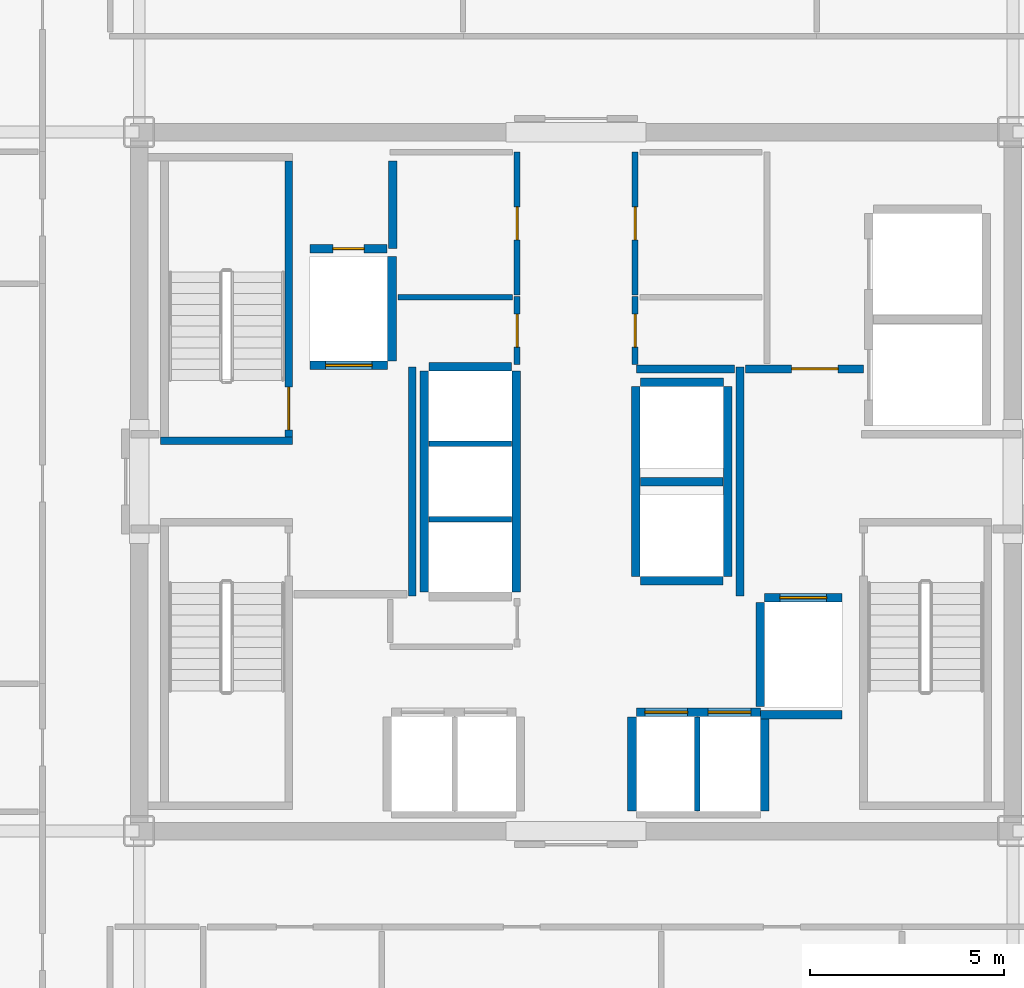
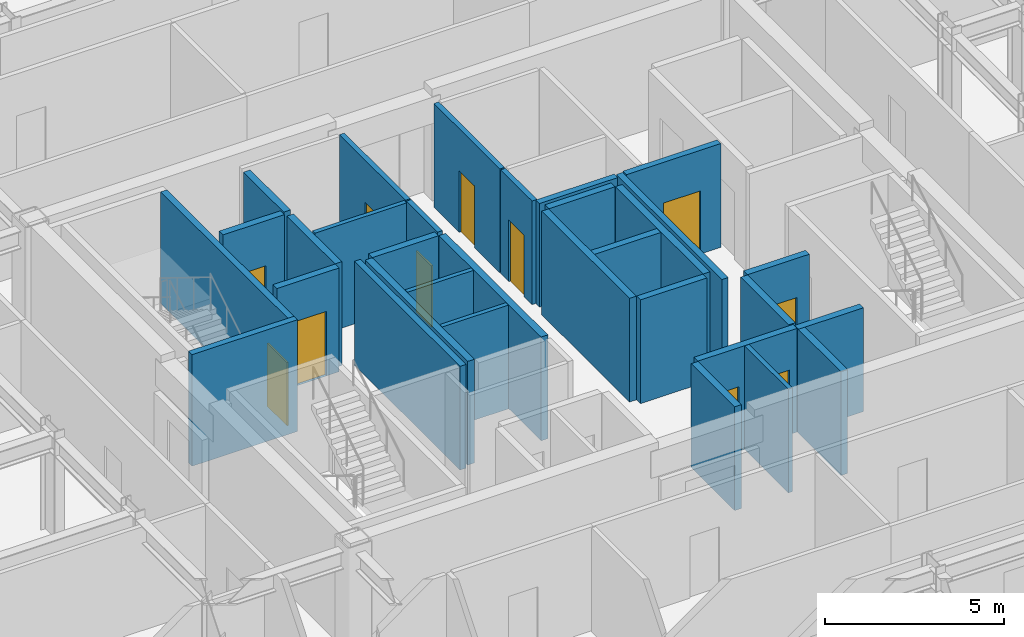
# One storey, part 16 of 21: 32 walls, 11 doors, 11 openings.
"""IFC4 building model written with IfcOpenShell, lengths in metres."""

import ifcopenshell
import ifcopenshell.guid

model = None  # the IFC model being written
_history = None  # IfcOwnerHistory: only IFC2X3 demands one
_inside = {}  # id of a spatial element -> (the spatial element, [elements in it])
_under = {}  # id of a project, library or spatial element -> (it, [spatial elements below it])
_declared = {}  # id of a project -> (the project, [libraries it declares])
_typed = {}  # id of a type object -> (the type object, [elements of that type])
_made_of = {}  # id of a material, layer set ... -> (it, [elements and type objects made of it])


def new_model(schema):
    """Start an empty IFC model of exactly this schema.

    Asked for "IFC4X3", IfcOpenShell would pick the latest addendum, in which some entities
    have other attributes; the version numbers below select the first issue.
    IFC2X3 requires an IfcOwnerHistory on every rooted entity: one is made here for all.
    """
    global model, _history
    if schema == "IFC4X3":
        model = ifcopenshell.file(schema_version=(4, 3, 0, 0))
    else:
        model = ifcopenshell.file(schema=schema)
    _inside.clear()
    _under.clear()
    _declared.clear()
    _typed.clear()
    _made_of.clear()
    _history = None
    if model.schema == "IFC2X3":
        org = make("IfcOrganization", Name="unknown")
        user = make(
            "IfcPersonAndOrganization",
            ThePerson=make("IfcPerson", FamilyName="unknown"),
            TheOrganization=org,
        )
        app = make(
            "IfcApplication",
            ApplicationDeveloper=org,
            Version="unknown",
            ApplicationFullName="unknown",
            ApplicationIdentifier="unknown",
        )
        _history = make(
            "IfcOwnerHistory",
            OwningUser=user,
            OwningApplication=app,
            ChangeAction="ADDED",
            CreationDate=0,
        )
    return model


def make(cls, **values):
    """One entity of the class cls with the attributes given. An attribute that is None is left unset."""
    return model.create_entity(
        cls, **{name: value for name, value in values.items() if value is not None}
    )


def rooted(cls, **values):
    """An entity with a GlobalId (a new one), such as an element, a storey or a relation."""
    return make(cls, GlobalId=ifcopenshell.guid.new(), OwnerHistory=_history, **values)


def si_unit(unit_type, name, prefix=None):
    """IfcSIUnit, for example si_unit("LENGTHUNIT", "METRE", prefix="MILLI")."""
    return make("IfcSIUnit", UnitType=unit_type, Prefix=prefix, Name=name)


def assignment(units):
    """IfcUnitAssignment: the units of a project."""
    return None if units is None else make("IfcUnitAssignment", Units=units)


def point(xyz):
    """IfcCartesianPoint."""
    return None if xyz is None else make("IfcCartesianPoint", Coordinates=xyz)


def direction(xyz):
    """IfcDirection."""
    return None if xyz is None else make("IfcDirection", DirectionRatios=xyz)


def frame(location, z_axis=None, x_axis=None):
    """IfcAxis2Placement3D, a coordinate frame: its origin and axes. An axis left out is left unset."""
    return make(
        "IfcAxis2Placement3D",
        Location=point(location),
        Axis=direction(z_axis),
        RefDirection=direction(x_axis),
    )


def frame_2d(location, x_axis=None):
    """IfcAxis2Placement2D, a coordinate frame in the plane: its origin and x axis."""
    return make(
        "IfcAxis2Placement2D", Location=point(location), RefDirection=direction(x_axis)
    )


def origin():
    """The frame at (0, 0, 0) with its axes left unset."""
    return frame((0.0, 0.0, 0.0))


def place(relative_to, where):
    """IfcLocalPlacement: puts the frame where relative to a parent placement (None: the world)."""
    return make(
        "IfcLocalPlacement", PlacementRelTo=relative_to, RelativePlacement=where
    )


def context(
    kind, dimensions, precision=None, world=None, true_north=None, identifier=None
):
    """IfcGeometricRepresentationContext, for example the 3D "Model" context."""
    return make(
        "IfcGeometricRepresentationContext",
        ContextIdentifier=identifier,
        ContextType=kind,
        CoordinateSpaceDimension=dimensions,
        Precision=precision,
        WorldCoordinateSystem=world,
        TrueNorth=true_north,
    )


def subcontext(parent, identifier, kind, view, scale=None):
    """IfcGeometricRepresentationSubContext, for example "Body" below "Model"."""
    return make(
        "IfcGeometricRepresentationSubContext",
        ContextIdentifier=identifier,
        ContextType=kind,
        ParentContext=parent,
        TargetScale=scale,
        TargetView=view,
    )


def project(units=None, contexts=None):
    """IfcProject with its units and contexts."""
    return rooted(
        "IfcProject",
        Name="project",
        RepresentationContexts=contexts,
        UnitsInContext=assignment(units),
    )


def spatial(cls, under=None, at=None, **own):
    """A site, building, storey or space (cls), placed at a placement, below another one or the project."""
    s = rooted(cls, ObjectPlacement=at, **own)
    if under is not None:
        _under.setdefault(under.id(), (under, []))[1].append(s)
    return s


def profile(cls, at=None, kind="AREA", **sizes):
    """A parametric profile (cls). Its sizes go by their IFC names, for example OverallWidth=200.0."""
    return make(cls, ProfileType=kind, Position=at, **sizes)


def rectangle(**sizes):
    """IfcRectangleProfileDef."""
    return profile("IfcRectangleProfileDef", **sizes)


def extrude(swept, where, along, depth):
    """IfcExtrudedAreaSolid: the profile swept, set in the frame where, extruded along a direction by depth."""
    return make(
        "IfcExtrudedAreaSolid",
        SweptArea=swept,
        Position=where,
        ExtrudedDirection=direction(along),
        Depth=depth,
    )


def shape(context_of_items, identifier, shape_type, items):
    """IfcShapeRepresentation: the items that make up one representation, for example the "Body"."""
    return make(
        "IfcShapeRepresentation",
        ContextOfItems=context_of_items,
        RepresentationIdentifier=identifier,
        RepresentationType=shape_type,
        Items=items,
    )


def source(mapping_origin, context_of_items, identifier, shape_type, items):
    """IfcRepresentationMap: a shape defined once, which mapped items show again and again."""
    return make(
        "IfcRepresentationMap",
        MappingOrigin=mapping_origin,
        MappedRepresentation=shape(context_of_items, identifier, shape_type, items),
    )


def transform(
    local_origin,
    x_axis=None,
    y_axis=None,
    z_axis=None,
    scale=None,
    scale2=None,
    scale3=None,
    uniform=True,
):
    """IfcCartesianTransformationOperator3D, or its non-uniform kind. x_axis, y_axis, z_axis: its Axis1, 2, 3."""
    if uniform:
        return make(
            "IfcCartesianTransformationOperator3D",
            Axis1=direction(x_axis),
            Axis2=direction(y_axis),
            LocalOrigin=point(local_origin),
            Scale=scale,
            Axis3=direction(z_axis),
        )
    return make(
        "IfcCartesianTransformationOperator3DnonUniform",
        Axis1=direction(x_axis),
        Axis2=direction(y_axis),
        LocalOrigin=point(local_origin),
        Scale=scale,
        Axis3=direction(z_axis),
        Scale2=scale2,
        Scale3=scale3,
    )


def mapped(mapping_source, mapping_target):
    """IfcMappedItem: shows the shape of a source again, moved by a transform."""
    return make(
        "IfcMappedItem", MappingSource=mapping_source, MappingTarget=mapping_target
    )


def material(Name=None, Category=None):
    """IfcMaterial."""
    return make("IfcMaterial", Name=Name, Category=Category)


def layer(
    of_material, thickness, ventilated=None, Name=None, Category=None, Priority=None
):
    """IfcMaterialLayer: one layer of a wall or slab, of a material (None: an air gap)."""
    return make(
        "IfcMaterialLayer",
        Material=of_material,
        LayerThickness=thickness,
        IsVentilated=ventilated,
        Name=Name,
        Category=Category,
        Priority=Priority,
    )


def layer_set(layers, Name=None):
    """IfcMaterialLayerSet."""
    return make("IfcMaterialLayerSet", MaterialLayers=layers, LayerSetName=Name)


def made_of(thing, what):
    """Note that an element or type object is made of a material, layer set ...; save() writes the relation."""
    if what is not None:
        _made_of.setdefault(what.id(), (what, []))[1].append(thing)
    return thing


def type_object(cls, material=None, **own):
    """A type object (cls), such as IfcWallType, which elements share."""
    return made_of(rooted(cls, **own), material)


def element(
    cls,
    number,
    at=None,
    inside=None,
    cuts=None,
    type_object=None,
    material=None,
    context=None,
    identifier="Body",
    shape_type=None,
    held_by="IfcProductDefinitionShape",
    body=None,
    shapes=None,
    **own,
):
    """One element of the class cls, such as IfcWall. Its Tag is "e" and its number.

    at: its placement. inside: the storey or other place that contains it. cuts: it is an
    opening in that element (IfcRelVoidsElement). A single representation is given by context,
    identifier, shape_type and body (its items); several are given by shapes. held_by: the class
    of the entity that holds the representations. save() writes the other relations.
    """
    e = rooted(cls, Tag="e%d" % number, ObjectPlacement=at, **own)
    if body is not None:
        shapes = [shape(context, identifier, shape_type, body)]
    if shapes is not None:
        e.Representation = make(held_by, Representations=shapes)
    if inside is not None:
        _inside.setdefault(inside.id(), (inside, []))[1].append(e)
    if cuts is not None:
        rooted(
            "IfcRelVoidsElement", RelatingBuildingElement=cuts, RelatedOpeningElement=e
        )
    if type_object is not None:
        _typed.setdefault(type_object.id(), (type_object, []))[1].append(e)
    return made_of(e, material)


def fill(opening, filler):
    """IfcRelFillsElement: the door or window that sits in an opening."""
    return rooted(
        "IfcRelFillsElement",
        RelatingOpeningElement=opening,
        RelatedBuildingElement=filler,
    )


def aggregate(whole, parts):
    """IfcRelAggregates: a whole, such as a stair, and the parts it consists of."""
    return rooted("IfcRelAggregates", RelatingObject=whole, RelatedObjects=parts)


def save(model, path):
    """Write the relations noted so far, then the file.

    IfcRelAggregates (storeys below a building ...), IfcRelContainedInSpatialStructure (elements
    in a storey), IfcRelDefinesByType, IfcRelAssociatesMaterial and IfcRelDeclares: one each for
    every whole, place, type object, material and project.
    """
    for whole, parts in _under.values():
        aggregate(whole, parts)
    for where, things in _inside.values():
        rooted(
            "IfcRelContainedInSpatialStructure",
            RelatedElements=things,
            RelatingStructure=where,
        )
    for kind, things in _typed.values():
        rooted("IfcRelDefinesByType", RelatedObjects=things, RelatingType=kind)
    for what, things in _made_of.values():
        rooted("IfcRelAssociatesMaterial", RelatedObjects=things, RelatingMaterial=what)
    for by, libraries in _declared.values():
        rooted("IfcRelDeclares", RelatingContext=by, RelatedDefinitions=libraries)
    model.write(path)


model = new_model("IFC4")

# Units and contexts
model_context = context("Model", 3, precision=1e-05, world=origin(), true_north=direction((0.0, 1.0)))
body_context = subcontext(model_context, "Body", "Model", "MODEL_VIEW")
ifc_project = project(units=[si_unit("LENGTHUNIT", "METRE"), si_unit("AREAUNIT", "SQUARE_METRE"), si_unit("VOLUMEUNIT", "CUBIC_METRE"), si_unit("PLANEANGLEUNIT", "RADIAN"), si_unit("MASSUNIT", "GRAM", prefix="KILO")], contexts=[model_context])

# Site, building, storey
site_placement = place(None, origin())
site = spatial("IfcSite", under=ifc_project, at=site_placement, CompositionType="ELEMENT")
building_placement = place(site_placement, origin())
building = spatial("IfcBuilding", under=site, at=building_placement, Name="Nefas-Gora Pilgrimage Tower", CompositionType="ELEMENT")
storey_placement = place(building_placement, frame((0.0, 0.0, 233.199951171875)))
storey = spatial("IfcBuildingStorey", under=building, at=storey_placement, Name="L58", CompositionType="ELEMENT", Elevation=233.199951171875)

# Wall
ifc_material_1 = material(Name="Concrete C45/55", Category="concrete")
ifc_layer_1 = layer(ifc_material_1, 0.199951171875)
ifc_layer_set_1 = layer_set([ifc_layer_1], Name="Concrete C45/55")
wall_type_1 = type_object("IfcWallType", Name="IW-STAIR-200", PredefinedType="SOLIDWALL", material=ifc_layer_set_1)
shared_shape_1 = source(origin(), body_context, "Body", "SweptSolid", [
    extrude(rectangle(XDim=3.39990234375, YDim=0.199951171875, at=frame_2d((1.699951171875, 0.0))), origin(), (0.0, 0.0, 1.0), 3.800048828125),
])
wall_1_placement = place(storey_placement, frame((-7.300048828125, 1.050048828125, 0.0), z_axis=(0.0, 0.0, 1.0), x_axis=(-1.0, 0.0, 0.0)))
element("IfcWall", 1, at=wall_1_placement, inside=storey, type_object=wall_type_1, Name="L58 Stairwell Shear Wall ST-01-near", PredefinedType="SOLIDWALL", context=body_context, shape_type="MappedRepresentation", body=[
    mapped(shared_shape_1, transform((0.0, 0.0, 0.0), x_axis=(1.0, 0.0, 0.0), y_axis=(0.0, 1.0, 0.0), z_axis=(0.0, 0.0, 1.0), scale=1.0)),
])

# Wall, opening, door
shared_shape_2 = source(origin(), body_context, "Body", "SweptSolid", [
    extrude(rectangle(XDim=7.10009765625, YDim=0.199951171875, at=frame_2d((3.550048828125, 0.0))), origin(), (0.0, 0.0, 1.0), 3.800048828125),
])
wall_2_placement = place(storey_placement, frame((-7.39990234375, 1.14990234375, 0.0), z_axis=(0.0, 0.0, 1.0), x_axis=(0.0, 1.0, 0.0)))
wall_2 = element("IfcWall", 2, at=wall_2_placement, inside=storey, type_object=wall_type_1, Name="L58 Stairwell Shear Wall ST-01-left", PredefinedType="SOLIDWALL", context=body_context, shape_type="MappedRepresentation", body=[
    mapped(shared_shape_2, transform((0.0, 0.0, 0.0), x_axis=(1.0, 0.0, 0.0), y_axis=(0.0, 1.0, 0.0), z_axis=(0.0, 0.0, 1.0), scale=1.0)),
])
opening_1_placement = place(wall_2_placement, frame((0.179931640625, 0.0, 0.0)))
opening_1 = element("IfcOpeningElement", 3, at=opening_1_placement, cuts=wall_2, Name="Opening ID-ST1", PredefinedType="OPENING", context=body_context, shape_type="SweptSolid", body=[
    extrude(rectangle(XDim=1.10009765625, YDim=2.14990234375, at=frame_2d((0.550048828125, 1.074951171875))), frame((0.0, 0.10986328125, 0.0), z_axis=(0.0, -1.0, 0.0), x_axis=(1.0, 0.0, 0.0)), (0.0, 0.0, 1.0), 0.219970703125),
])
ifc_material_2 = material(Name="Painted galvanised steel fire stair door", Category="steel")
door_type_1 = type_object("IfcDoorType", Name="DR-INT-STAIR-1100", OperationType="NOTDEFINED", PredefinedType="DOOR", material=ifc_material_2)
shared_shape_3 = source(origin(), body_context, "Body", "SweptSolid", [
    extrude(rectangle(XDim=1.10009765625, YDim=2.14990234375, at=frame_2d((0.550048828125, 1.074951171875))), frame((0.0, 0.02490234375, 0.0), z_axis=(0.0, -1.0, 0.0), x_axis=(1.0, 0.0, 0.0)), (0.0, 0.0, 1.0), 0.050048828125),
])
door_1_placement = place(opening_1_placement, origin())
door_1 = element("IfcDoor", 4, at=door_1_placement, inside=storey, type_object=door_type_1, Name="L58 Protected Exit Stair Door ST-01", OperationType="SINGLE_SWING_RIGHT", OverallHeight=2.14990234375, OverallWidth=1.10009765625, PredefinedType="DOOR", context=body_context, shape_type="MappedRepresentation", body=[
    mapped(shared_shape_3, transform((0.0, 0.0, 0.0), x_axis=(1.0, 0.0, 0.0), y_axis=(0.0, 1.0, 0.0), z_axis=(0.0, 0.0, 1.0), scale=1.0)),
])
fill(opening_1, door_1)

ifc_material_3 = material(Name="Concrete C40/50", Category="concrete")
ifc_layer_2 = layer(ifc_material_3, 0.219970703125)
ifc_layer_set_2 = layer_set([ifc_layer_2], Name="Concrete C40/50")
wall_type_2 = type_object("IfcWallType", Name="IW-SHAFT-220", PredefinedType="SOLIDWALL", material=ifc_layer_set_2)
shared_shape_4 = source(origin(), body_context, "Body", "SweptSolid", [
    extrude(rectangle(XDim=2.0, YDim=0.219970703125, at=frame_2d((1.0, 0.0))), origin(), (0.0, 0.0, 1.0), 3.53515625),
])
wall_3_placement = place(storey_placement, frame((-6.85009765625, 2.989990234375, 0.0), z_axis=(0.0, 0.0, 1.0), x_axis=(1.0, 0.0, 0.0)))
wall_3 = element("IfcWall", 5, at=wall_3_placement, inside=storey, type_object=wall_type_2, Name="L58 Hoistway Wall FFL-01-S", PredefinedType="SOLIDWALL", context=body_context, shape_type="MappedRepresentation", body=[
    mapped(shared_shape_4, transform((0.0, 0.0, 0.0), x_axis=(1.0, 0.0, 0.0), y_axis=(0.0, 1.0, 0.0), z_axis=(0.0, 0.0, 1.0), scale=1.0)),
])
opening_2_placement = place(wall_3_placement, frame((0.39990234375, 0.0, 0.0)))
opening_2 = element("IfcOpeningElement", 6, at=opening_2_placement, cuts=wall_3, Name="Opening LD-FF", PredefinedType="OPENING", context=body_context, shape_type="SweptSolid", body=[
    extrude(rectangle(XDim=1.199951171875, YDim=2.199951171875, at=frame_2d((0.60009765625, 1.10009765625))), frame((0.0, 0.119873046875, 0.0), z_axis=(0.0, -1.0, 0.0), x_axis=(1.0, 0.0, 0.0)), (0.0, 0.0, 1.0), 0.239990234375),
])
ifc_material_4 = material(Name="Fire-service sliding lift landing door")
door_type_2 = type_object("IfcDoorType", Name="DR-LIFT-FSAE-1200", OperationType="SLIDING_TO_LEFT", PredefinedType="DOOR", material=ifc_material_4)
shared_shape_5 = source(origin(), body_context, "Body", "SweptSolid", [
    extrude(rectangle(XDim=1.199951171875, YDim=2.199951171875, at=frame_2d((0.60009765625, 1.10009765625))), frame((0.0, 0.02490234375, 0.0), z_axis=(0.0, -1.0, 0.0), x_axis=(1.0, 0.0, 0.0)), (0.0, 0.0, 1.0), 0.050048828125),
])
door_2_placement = place(opening_2_placement, origin())
door_2 = element("IfcDoor", 7, at=door_2_placement, inside=storey, type_object=door_type_2, Name="L58 Sliding Lift Landing Door FFL-01", OperationType="SLIDING_TO_LEFT", OverallHeight=2.199951171875, OverallWidth=1.199951171875, PredefinedType="DOOR", context=body_context, shape_type="MappedRepresentation", body=[
    mapped(shared_shape_5, transform((0.0, 0.0, 0.0), x_axis=(1.0, 0.0, 0.0), y_axis=(0.0, 1.0, 0.0), z_axis=(0.0, 0.0, 1.0), scale=1.0)),
])
fill(opening_2, door_2)

wall_4_placement = place(storey_placement, frame((6.85009765625, -2.989990234375, 0.0), z_axis=(0.0, 0.0, 1.0), x_axis=(-1.0, 0.0, 0.0)))
wall_4 = element("IfcWall", 8, at=wall_4_placement, inside=storey, type_object=wall_type_2, Name="L58 Hoistway Wall FFL-02-N", PredefinedType="SOLIDWALL", context=body_context, shape_type="MappedRepresentation", body=[
    mapped(shared_shape_4, transform((0.0, 0.0, 0.0), x_axis=(1.0, 0.0, 0.0), y_axis=(0.0, 1.0, 0.0), z_axis=(0.0, 0.0, 1.0), scale=1.0)),
])
opening_3_placement = place(wall_4_placement, frame((0.39990234375, 0.0, 0.0)))
opening_3 = element("IfcOpeningElement", 9, at=opening_3_placement, cuts=wall_4, Name="Opening LD-FF", PredefinedType="OPENING", context=body_context, shape_type="SweptSolid", body=[
    extrude(rectangle(XDim=1.199951171875, YDim=2.199951171875, at=frame_2d((0.60009765625, 1.10009765625))), frame((0.0, 0.119873046875, 0.0), z_axis=(0.0, -1.0, 0.0), x_axis=(1.0, 0.0, 0.0)), (0.0, 0.0, 1.0), 0.239990234375),
])
door_3_placement = place(opening_3_placement, origin())
door_3 = element("IfcDoor", 10, at=door_3_placement, inside=storey, type_object=door_type_2, Name="L58 Sliding Lift Landing Door FFL-02", OperationType="SLIDING_TO_LEFT", OverallHeight=2.199951171875, OverallWidth=1.199951171875, PredefinedType="DOOR", context=body_context, shape_type="MappedRepresentation", body=[
    mapped(shared_shape_5, transform((0.0, 0.0, 0.0), x_axis=(1.0, 0.0, 0.0), y_axis=(0.0, 1.0, 0.0), z_axis=(0.0, 0.0, 1.0), scale=1.0)),
])
fill(opening_3, door_3)

# Walls
shared_shape_6 = source(origin(), body_context, "Body", "SweptSolid", [
    extrude(rectangle(XDim=2.679931640625, YDim=0.219970703125, at=frame_2d((1.33984375, 0.0))), origin(), (0.0, 0.0, 1.0), 3.53515625),
])
for number, where, z_axis, x_axis, name in (
    (11, (-4.739990234375, 3.110107421875, 0.0), (0.0, 0.0, 1.0), (0.0, 1.0, 0.0), "L58 Hoistway Wall FFL-01-E"),
    (12, (4.739990234375, -3.110107421875, 0.0), (0.0, 0.0, 1.0), (0.0, -1.0, 0.0), "L58 Hoistway Wall FFL-02-W"),
):
    element("IfcWall", number, at=place(storey_placement, frame(where, z_axis=z_axis, x_axis=x_axis)), inside=storey, type_object=wall_type_2, Name=name, PredefinedType="SOLIDWALL", context=body_context, shape_type="MappedRepresentation", body=[
        mapped(shared_shape_6, transform((0.0, 0.0, 0.0), x_axis=(1.0, 0.0, 0.0), y_axis=(0.0, 1.0, 0.0), z_axis=(0.0, 0.0, 1.0), scale=1.0)),
    ])

# Wall, openings, doors
shared_shape_7 = source(origin(), body_context, "Body", "SweptSolid", [
    extrude(rectangle(XDim=3.199951171875, YDim=0.219970703125, at=frame_2d((1.60009765625, 0.0))), origin(), (0.0, 0.0, 1.0), 3.53515625),
])
wall_5_placement = place(storey_placement, frame((4.75, -5.93994140625, 0.0), z_axis=(0.0, 0.0, 1.0), x_axis=(-1.0, 0.0, 0.0)))
wall_5 = element("IfcWall", 13, at=wall_5_placement, inside=storey, type_object=wall_type_2, Name="L58 Hoistway Wall PL2-E-N", PredefinedType="SOLIDWALL", context=body_context, shape_type="MappedRepresentation", body=[
    mapped(shared_shape_7, transform((0.0, 0.0, 0.0), x_axis=(1.0, 0.0, 0.0), y_axis=(0.0, 1.0, 0.0), z_axis=(0.0, 0.0, 1.0), scale=1.0)),
])
opening_4_placement = place(wall_5_placement, frame((1.875, 0.0, 0.0)))
opening_4 = element("IfcOpeningElement", 14, at=opening_4_placement, cuts=wall_5, Name="Opening LD-01", PredefinedType="OPENING", context=body_context, shape_type="SweptSolid", body=[
    extrude(rectangle(XDim=1.10009765625, YDim=2.199951171875, at=frame_2d((0.550048828125, 1.10009765625))), frame((0.0, 0.119873046875, 0.0), z_axis=(0.0, -1.0, 0.0), x_axis=(1.0, 0.0, 0.0)), (0.0, 0.0, 1.0), 0.239990234375),
])
opening_5_placement = place(wall_5_placement, frame((0.25, 0.0, 0.0)))
opening_5 = element("IfcOpeningElement", 15, at=opening_5_placement, cuts=wall_5, Name="Opening LD-01", PredefinedType="OPENING", context=body_context, shape_type="SweptSolid", body=[
    extrude(rectangle(XDim=1.10009765625, YDim=2.199951171875, at=frame_2d((0.550048828125, 1.10009765625))), frame((0.0, 0.119873046875, 0.0), z_axis=(0.0, -1.0, 0.0), x_axis=(1.0, 0.0, 0.0)), (0.0, 0.0, 1.0), 0.239990234375),
])
ifc_material_5 = material(Name="Brushed stainless sliding lift landing door")
door_type_3 = type_object("IfcDoorType", Name="DR-LIFT-PASS-1100", OperationType="DOUBLE_DOOR_SLIDING", PredefinedType="DOOR", material=ifc_material_5)
shared_shape_8 = source(origin(), body_context, "Body", "SweptSolid", [
    extrude(rectangle(XDim=1.10009765625, YDim=2.199951171875, at=frame_2d((0.550048828125, 1.10009765625))), frame((0.0, 0.02490234375, 0.0), z_axis=(0.0, -1.0, 0.0), x_axis=(1.0, 0.0, 0.0)), (0.0, 0.0, 1.0), 0.050048828125),
])
door_4_placement = place(opening_4_placement, origin())
door_4 = element("IfcDoor", 16, at=door_4_placement, inside=storey, type_object=door_type_3, Name="L58 Sliding Lift Landing Door PL2-03", OperationType="DOUBLE_DOOR_SLIDING", OverallHeight=2.199951171875, OverallWidth=1.10009765625, PredefinedType="DOOR", context=body_context, shape_type="MappedRepresentation", body=[
    mapped(shared_shape_8, transform((0.0, 0.0, 0.0), x_axis=(1.0, 0.0, 0.0), y_axis=(0.0, 1.0, 0.0), z_axis=(0.0, 0.0, 1.0), scale=1.0)),
])
fill(opening_4, door_4)
door_5_placement = place(opening_5_placement, origin())
door_5 = element("IfcDoor", 17, at=door_5_placement, inside=storey, type_object=door_type_3, Name="L58 Sliding Lift Landing Door PL2-04", OperationType="DOUBLE_DOOR_SLIDING", OverallHeight=2.199951171875, OverallWidth=1.10009765625, PredefinedType="DOOR", context=body_context, shape_type="MappedRepresentation", body=[
    mapped(shared_shape_8, transform((0.0, 0.0, 0.0), x_axis=(1.0, 0.0, 0.0), y_axis=(0.0, 1.0, 0.0), z_axis=(0.0, 0.0, 1.0), scale=1.0)),
])
fill(opening_5, door_5)

# Walls
shared_shape_9 = source(origin(), body_context, "Body", "SweptSolid", [
    extrude(rectangle(XDim=2.429931640625, YDim=0.219970703125, at=frame_2d((1.21484375, 0.0))), origin(), (0.0, 0.0, 1.0), 3.53515625),
])
for number, where, z_axis, x_axis, name in (
    (18, (1.43994140625, -6.06005859375, 0.0), (0.0, 0.0, 1.0), (0.0, -1.0, 0.0), "L58 Hoistway Wall PL2-E-W"),
    (19, (4.860107421875, -8.489990234375, 0.0), (0.0, 0.0, 1.0), (0.0, 1.0, 0.0), "L58 Hoistway Wall PL2-E-E"),
):
    element("IfcWall", number, at=place(storey_placement, frame(where, z_axis=z_axis, x_axis=x_axis)), inside=storey, type_object=wall_type_2, Name=name, PredefinedType="SOLIDWALL", context=body_context, shape_type="MappedRepresentation", body=[
        mapped(shared_shape_9, transform((0.0, 0.0, 0.0), x_axis=(1.0, 0.0, 0.0), y_axis=(0.0, 1.0, 0.0), z_axis=(0.0, 0.0, 1.0), scale=1.0)),
    ])
ifc_material_6 = material(Name="Gypsum twin-stud partition")
ifc_layer_3 = layer(ifc_material_6, 0.139892578125)
ifc_layer_set_3 = layer_set([ifc_layer_3], Name="Gypsum twin-stud partition")
wall_type_3 = type_object("IfcWallType", Name="IW-UNIT-140", PredefinedType="PARTITIONING", material=ifc_layer_set_3)
shared_shape_10 = source(origin(), body_context, "Body", "SweptSolid", [
    extrude(rectangle(XDim=2.429931640625, YDim=0.139892578125, at=frame_2d((1.21484375, 0.0))), origin(), (0.0, 0.0, 1.0), 3.53515625),
])
wall_6_placement = place(storey_placement, frame((3.125, -8.489990234375, 0.0), z_axis=(0.0, 0.0, 1.0), x_axis=(0.0, 1.0, 0.0)))
element("IfcWall", 20, at=wall_6_placement, inside=storey, type_object=wall_type_3, Name="L58 Hoistway Wall PL2-E-DIV", PredefinedType="PARTITIONING", context=body_context, shape_type="MappedRepresentation", body=[
    mapped(shared_shape_10, transform((0.0, 0.0, 0.0), x_axis=(1.0, 0.0, 0.0), y_axis=(0.0, 1.0, 0.0), z_axis=(0.0, 0.0, 1.0), scale=1.0)),
])
shared_shape_11 = source(origin(), body_context, "Body", "SweptSolid", [
    extrude(rectangle(XDim=5.7001953125, YDim=0.219970703125, at=frame_2d((2.85009765625, 0.0))), origin(), (0.0, 0.0, 1.0), 3.53515625),
])
for number, where, z_axis, x_axis, name in (
    (21, (-1.5400390625, -2.85009765625, 0.0), (0.0, 0.0, 1.0), (0.0, 1.0, 0.0), "L58 Hoistway Wall PL3-01-03-E"),
    (22, (-3.909912109375, 2.85009765625, 0.0), (0.0, 0.0, 1.0), (0.0, -1.0, 0.0), "L58 Hoistway Wall PL3-01-03-W"),
):
    element("IfcWall", number, at=place(storey_placement, frame(where, z_axis=z_axis, x_axis=x_axis)), inside=storey, type_object=wall_type_2, Name=name, PredefinedType="SOLIDWALL", context=body_context, shape_type="MappedRepresentation", body=[
        mapped(shared_shape_11, transform((0.0, 0.0, 0.0), x_axis=(1.0, 0.0, 0.0), y_axis=(0.0, 1.0, 0.0), z_axis=(0.0, 0.0, 1.0), scale=1.0)),
    ])
shared_shape_12 = source(origin(), body_context, "Body", "SweptSolid", [
    extrude(rectangle(XDim=2.130126953125, YDim=0.219970703125, at=frame_2d((1.06494140625, 0.0))), origin(), (0.0, 0.0, 1.0), 3.53515625),
])
for number, where, z_axis, x_axis, name in (
    (23, (-1.659912109375, 2.9599609375, 0.0), (0.0, 0.0, 1.0), (-1.0, 0.0, 0.0), "L58 Hoistway Wall PL3-03-N"),
    (24, (1.659912109375, -2.56005859375, 0.0), (0.0, 0.0, 1.0), (1.0, 0.0, 0.0), "L58 Hoistway Wall OBS-01-S"),
    (25, (1.659912109375, 0.0, 0.0), (0.0, 0.0, 1.0), (1.0, 0.0, 0.0), "L58 Hoistway Wall OBS-01-02-DIV"),
    (26, (3.7900390625, 2.56005859375, 0.0), (0.0, 0.0, 1.0), (-1.0, 0.0, 0.0), "L58 Hoistway Wall OBS-02-N"),
):
    element("IfcWall", number, at=place(storey_placement, frame(where, z_axis=z_axis, x_axis=x_axis)), inside=storey, type_object=wall_type_2, Name=name, PredefinedType="SOLIDWALL", context=body_context, shape_type="MappedRepresentation", body=[
        mapped(shared_shape_12, transform((0.0, 0.0, 0.0), x_axis=(1.0, 0.0, 0.0), y_axis=(0.0, 1.0, 0.0), z_axis=(0.0, 0.0, 1.0), scale=1.0)),
    ])
shared_shape_13 = source(origin(), body_context, "Body", "SweptSolid", [
    extrude(rectangle(XDim=2.130126953125, YDim=0.139892578125, at=frame_2d((1.06494140625, 0.0))), origin(), (0.0, 0.0, 1.0), 3.53515625),
])
for number, where, z_axis, x_axis, name in (
    (27, (-3.7900390625, -0.97509765625, 0.0), (0.0, 0.0, 1.0), (1.0, 0.0, 0.0), "L58 Hoistway Wall PL3-01-02-DIV"),
    (28, (-3.7900390625, 0.97509765625, 0.0), (0.0, 0.0, 1.0), (1.0, 0.0, 0.0), "L58 Hoistway Wall PL3-02-03-DIV"),
):
    element("IfcWall", number, at=place(storey_placement, frame(where, z_axis=z_axis, x_axis=x_axis)), inside=storey, type_object=wall_type_3, Name=name, PredefinedType="PARTITIONING", context=body_context, shape_type="MappedRepresentation", body=[
        mapped(shared_shape_13, transform((0.0, 0.0, 0.0), x_axis=(1.0, 0.0, 0.0), y_axis=(0.0, 1.0, 0.0), z_axis=(0.0, 0.0, 1.0), scale=1.0)),
    ])
shared_shape_14 = source(origin(), body_context, "Body", "SweptSolid", [
    extrude(rectangle(XDim=4.89990234375, YDim=0.219970703125, at=frame_2d((2.449951171875, 0.0))), origin(), (0.0, 0.0, 1.0), 3.53515625),
])
for number, where, z_axis, x_axis, name in (
    (29, (1.5400390625, 2.449951171875, 0.0), (0.0, 0.0, 1.0), (0.0, -1.0, 0.0), "L58 Hoistway Wall OBS-01-02-W"),
    (30, (3.909912109375, -2.449951171875, 0.0), (0.0, 0.0, 1.0), (0.0, 1.0, 0.0), "L58 Hoistway Wall OBS-01-02-E"),
):
    element("IfcWall", number, at=place(storey_placement, frame(where, z_axis=z_axis, x_axis=x_axis)), inside=storey, type_object=wall_type_2, Name=name, PredefinedType="SOLIDWALL", context=body_context, shape_type="MappedRepresentation", body=[
        mapped(shared_shape_14, transform((0.0, 0.0, 0.0), x_axis=(1.0, 0.0, 0.0), y_axis=(0.0, 1.0, 0.0), z_axis=(0.0, 0.0, 1.0), scale=1.0)),
    ])
shared_shape_15 = source(origin(), body_context, "Body", "SweptSolid", [
    extrude(rectangle(XDim=2.09521484375, YDim=0.219970703125, at=frame_2d((1.047607421875, 0.0))), origin(), (0.0, 0.0, 1.0), 3.53515625),
])
wall_7_placement = place(storey_placement, frame((4.7548828125, -6.0, 0.0), z_axis=(0.0, 0.0, 1.0), x_axis=(1.0, 0.0, 0.0)))
element("IfcWall", 31, at=wall_7_placement, inside=storey, type_object=wall_type_2, Name="L58 Riser Shaft Wall 3", PredefinedType="SOLIDWALL", context=body_context, shape_type="MappedRepresentation", body=[
    mapped(shared_shape_15, transform((0.0, 0.0, 0.0), x_axis=(1.0, 0.0, 0.0), y_axis=(0.0, 1.0, 0.0), z_axis=(0.0, 0.0, 1.0), scale=1.0)),
])
ifc_material_7 = material(Name="Gypsum fire-rated shaftwall")
ifc_layer_4 = layer(ifc_material_7, 0.199951171875)
ifc_layer_set_4 = layer_set([ifc_layer_4], Name="Gypsum fire-rated shaftwall")
wall_type_4 = type_object("IfcWallType", Name="IW-FFLOB-200", PredefinedType="PARTITIONING", material=ifc_layer_set_4)
shared_shape_16 = source(origin(), body_context, "Body", "SweptSolid", [
    extrude(rectangle(XDim=5.89990234375, YDim=0.199951171875, at=frame_2d((2.949951171875, 0.0))), origin(), (0.0, 0.0, 1.0), 3.53515625),
])
for number, where, z_axis, x_axis, name in (
    (32, (-4.219970703125, -2.949951171875, 0.0), (0.0, 0.0, 1.0), (0.0, 1.0, 0.0), "L58 FF Lobby West Inner Wall Wall 5"),
    (33, (4.219970703125, -2.949951171875, 0.0), (0.0, 0.0, 1.0), (0.0, 1.0, 0.0), "L58 FF Lobby East Inner Wall Wall 10"),
):
    element("IfcWall", number, at=place(storey_placement, frame(where, z_axis=z_axis, x_axis=x_axis)), inside=storey, type_object=wall_type_4, Name=name, PredefinedType="PARTITIONING", context=body_context, shape_type="MappedRepresentation", body=[
        mapped(shared_shape_16, transform((0.0, 0.0, 0.0), x_axis=(1.0, 0.0, 0.0), y_axis=(0.0, 1.0, 0.0), z_axis=(0.0, 0.0, 1.0), scale=1.0)),
    ])

# Wall, opening, door
shared_shape_17 = source(origin(), body_context, "Body", "SweptSolid", [
    extrude(rectangle(XDim=3.039794921875, YDim=0.199951171875, at=frame_2d((1.52001953125, 0.0))), origin(), (0.0, 0.0, 1.0), 3.53515625),
])
wall_8_placement = place(storey_placement, frame((4.360107421875, 2.89990234375, 0.0), z_axis=(0.0, 0.0, 1.0), x_axis=(1.0, 0.0, 0.0)))
wall_8 = element("IfcWall", 34, at=wall_8_placement, inside=storey, type_object=wall_type_4, Name="L58 FF Lobby East North Wall Wall 12", PredefinedType="PARTITIONING", context=body_context, shape_type="MappedRepresentation", body=[
    mapped(shared_shape_17, transform((0.0, 0.0, 0.0), x_axis=(1.0, 0.0, 0.0), y_axis=(0.0, 1.0, 0.0), z_axis=(0.0, 0.0, 1.0), scale=1.0)),
])
opening_6_placement = place(wall_8_placement, frame((1.18994140625, 0.0, 0.0)))
opening_6 = element("IfcOpeningElement", 35, at=opening_6_placement, cuts=wall_8, Name="Opening ID-PL1", PredefinedType="OPENING", context=body_context, shape_type="SweptSolid", body=[
    extrude(rectangle(XDim=1.199951171875, YDim=2.14990234375, at=frame_2d((0.60009765625, 1.074951171875))), frame((0.0, 0.10986328125, 0.0), z_axis=(0.0, -1.0, 0.0), x_axis=(1.0, 0.0, 0.0)), (0.0, 0.0, 1.0), 0.219970703125),
])
ifc_material_8 = material(Name="Heavy-duty steel plant room fire door", Category="steel")
door_type_4 = type_object("IfcDoorType", Name="DR-INT-PLANT-1200", OperationType="NOTDEFINED", PredefinedType="DOOR", material=ifc_material_8)
shared_shape_18 = source(origin(), body_context, "Body", "SweptSolid", [
    extrude(rectangle(XDim=1.199951171875, YDim=2.14990234375, at=frame_2d((0.60009765625, 1.074951171875))), frame((0.0, 0.02490234375, 0.0), z_axis=(0.0, -1.0, 0.0), x_axis=(1.0, 0.0, 0.0)), (0.0, 0.0, 1.0), 0.050048828125),
])
door_6_placement = place(opening_6_placement, origin())
door_6 = element("IfcDoor", 36, at=door_6_placement, inside=storey, type_object=door_type_4, Name="L58 Service Lift Lobby Door Door 4", OperationType="SINGLE_SWING_RIGHT", OverallHeight=2.14990234375, OverallWidth=1.199951171875, PredefinedType="DOOR", context=body_context, shape_type="MappedRepresentation", body=[
    mapped(shared_shape_18, transform((0.0, 0.0, 0.0), x_axis=(1.0, 0.0, 0.0), y_axis=(0.0, 1.0, 0.0), z_axis=(0.0, 0.0, 1.0), scale=1.0)),
])
fill(opening_6, door_6)

# Walls
shared_shape_19 = source(origin(), body_context, "Body", "SweptSolid", [
    extrude(rectangle(XDim=2.9501953125, YDim=0.139892578125, at=frame_2d((1.47509765625, 0.0))), origin(), (0.0, 0.0, 1.0), 3.53515625),
])
wall_9_placement = place(storey_placement, frame((-4.590087890625, 4.75, 0.0), z_axis=(0.0, 0.0, 1.0), x_axis=(1.0, 0.0, 0.0)))
element("IfcWall", 37, at=wall_9_placement, inside=storey, type_object=wall_type_3, Name="L58 Housekeeping and Linen Store Partition Wall 19", PredefinedType="PARTITIONING", context=body_context, shape_type="MappedRepresentation", body=[
    mapped(shared_shape_19, transform((0.0, 0.0, 0.0), x_axis=(1.0, 0.0, 0.0), y_axis=(0.0, 1.0, 0.0), z_axis=(0.0, 0.0, 1.0), scale=1.0)),
])
shared_shape_20 = source(origin(), body_context, "Body", "SweptSolid", [
    extrude(rectangle(XDim=2.25, YDim=0.219970703125, at=frame_2d((1.125, 0.0))), origin(), (0.0, 0.0, 1.0), 3.53515625),
])
wall_10_placement = place(storey_placement, frame((-4.719970703125, 6.0, 0.0), z_axis=(0.0, 0.0, 1.0), x_axis=(0.0, 1.0, 0.0)))
element("IfcWall", 38, at=wall_10_placement, inside=storey, type_object=wall_type_2, Name="L58 Riser Shaft Wall 1", PredefinedType="SOLIDWALL", context=body_context, shape_type="MappedRepresentation", body=[
    mapped(shared_shape_20, transform((0.0, 0.0, 0.0), x_axis=(1.0, 0.0, 0.0), y_axis=(0.0, 1.0, 0.0), z_axis=(0.0, 0.0, 1.0), scale=1.0)),
])

# Wall, opening, door
shared_shape_21 = source(origin(), body_context, "Body", "SweptSolid", [
    extrude(rectangle(XDim=1.97998046875, YDim=0.219970703125, at=frame_2d((0.989990234375, 0.0))), origin(), (0.0, 0.0, 1.0), 3.53515625),
])
wall_11_placement = place(storey_placement, frame((-6.85009765625, 6.0, 0.0), z_axis=(0.0, 0.0, 1.0), x_axis=(1.0, 0.0, 0.0)))
wall_11 = element("IfcWall", 39, at=wall_11_placement, inside=storey, type_object=wall_type_2, Name="L58 Riser Shaft Wall 2", PredefinedType="SOLIDWALL", context=body_context, shape_type="MappedRepresentation", body=[
    mapped(shared_shape_21, transform((0.0, 0.0, 0.0), x_axis=(1.0, 0.0, 0.0), y_axis=(0.0, 1.0, 0.0), z_axis=(0.0, 0.0, 1.0), scale=1.0)),
])
opening_7_placement = place(wall_11_placement, frame((0.590087890625, 0.0, 0.0)))
opening_7 = element("IfcOpeningElement", 40, at=opening_7_placement, cuts=wall_11, Name="Opening ID-TR1", PredefinedType="OPENING", context=body_context, shape_type="SweptSolid", body=[
    extrude(rectangle(XDim=0.800048828125, YDim=2.0, at=frame_2d((0.39990234375, 1.0))), frame((0.0, 0.119873046875, 0.0), z_axis=(0.0, -1.0, 0.0), x_axis=(1.0, 0.0, 0.0)), (0.0, 0.0, 1.0), 0.239990234375),
])
ifc_material_9 = material(Name="Riser maintenance fire access door")
door_type_5 = type_object("IfcDoorType", Name="DR-INT-TRAP-800", OperationType="NOTDEFINED", PredefinedType="TRAPDOOR", material=ifc_material_9)
shared_shape_22 = source(origin(), body_context, "Body", "SweptSolid", [
    extrude(rectangle(XDim=0.800048828125, YDim=2.0, at=frame_2d((0.39990234375, 1.0))), frame((0.0, 0.02490234375, 0.0), z_axis=(0.0, -1.0, 0.0), x_axis=(1.0, 0.0, 0.0)), (0.0, 0.0, 1.0), 0.050048828125),
])
door_7_placement = place(opening_7_placement, origin())
door_7 = element("IfcDoor", 41, at=door_7_placement, inside=storey, type_object=door_type_5, Name="L58 Riser Shaft Door 1", OperationType="SINGLE_SWING_LEFT", OverallHeight=2.0, OverallWidth=0.800048828125, PredefinedType="TRAPDOOR", context=body_context, shape_type="MappedRepresentation", body=[
    mapped(shared_shape_22, transform((0.0, 0.0, 0.0), x_axis=(1.0, 0.0, 0.0), y_axis=(0.0, 1.0, 0.0), z_axis=(0.0, 0.0, 1.0), scale=1.0)),
])
fill(opening_7, door_7)

# Wall
shared_shape_23 = source(origin(), body_context, "Body", "SweptSolid", [
    extrude(rectangle(XDim=2.52001953125, YDim=0.199951171875, at=frame_2d((1.260009765625, 0.0))), origin(), (0.0, 0.0, 1.0), 3.53515625),
])
wall_12_placement = place(storey_placement, frame((1.56005859375, 2.89990234375, 0.0), z_axis=(0.0, 0.0, 1.0), x_axis=(1.0, 0.0, 0.0)))
element("IfcWall", 42, at=wall_12_placement, inside=storey, type_object=wall_type_4, Name="L58 FF Lobby East North Wall Wall 11", PredefinedType="PARTITIONING", context=body_context, shape_type="MappedRepresentation", body=[
    mapped(shared_shape_23, transform((0.0, 0.0, 0.0), x_axis=(1.0, 0.0, 0.0), y_axis=(0.0, 1.0, 0.0), z_axis=(0.0, 0.0, 1.0), scale=1.0)),
])

# Wall, opening, door
ifc_material_10 = material(Name="Gypsum acoustic stud partition")
ifc_layer_5 = layer(ifc_material_10, 0.159912109375)
ifc_layer_set_5 = layer_set([ifc_layer_5], Name="Gypsum acoustic stud partition")
wall_type_5 = type_object("IfcWallType", Name="IW-CORR-160", PredefinedType="PARTITIONING", material=ifc_layer_set_5)
shared_shape_24 = source(origin(), body_context, "Body", "SweptSolid", [
    extrude(rectangle(XDim=1.75, YDim=0.159912109375, at=frame_2d((0.875, 0.0))), origin(), (0.0, 0.0, 1.0), 3.53515625),
])
wall_13_placement = place(storey_placement, frame((-1.52001953125, 3.010009765625, 0.0), z_axis=(0.0, 0.0, 1.0), x_axis=(0.0, 1.0, 0.0)))
wall_13 = element("IfcWall", 43, at=wall_13_placement, inside=storey, type_object=wall_type_5, Name="L58 Housekeeping and Linen Store Wall 18", PredefinedType="PARTITIONING", context=body_context, shape_type="MappedRepresentation", body=[
    mapped(shared_shape_24, transform((0.0, 0.0, 0.0), x_axis=(1.0, 0.0, 0.0), y_axis=(0.0, 1.0, 0.0), z_axis=(0.0, 0.0, 1.0), scale=1.0)),
])
opening_8_placement = place(wall_13_placement, frame((0.449951171875, 0.0, 0.0)))
opening_8 = element("IfcOpeningElement", 44, at=opening_8_placement, cuts=wall_13, Name="Opening ID-BT1", PredefinedType="OPENING", context=body_context, shape_type="SweptSolid", body=[
    extrude(rectangle(XDim=0.85009765625, YDim=2.10009765625, at=frame_2d((0.425048828125, 1.050048828125))), frame((0.0, 0.08984375, 0.0), z_axis=(0.0, -1.0, 0.0), x_axis=(1.0, 0.0, 0.0)), (0.0, 0.0, 1.0), 0.179931640625),
])
ifc_material_11 = material(Name="Moisture-resistant fire-rated timber door", Category="wood")
door_type_6 = type_object("IfcDoorType", Name="DR-INT-BATH-850", OperationType="NOTDEFINED", PredefinedType="DOOR", material=ifc_material_11)
shared_shape_25 = source(origin(), body_context, "Body", "SweptSolid", [
    extrude(rectangle(XDim=0.85009765625, YDim=2.10009765625, at=frame_2d((0.425048828125, 1.050048828125))), frame((0.0, 0.02490234375, 0.0), z_axis=(0.0, -1.0, 0.0), x_axis=(1.0, 0.0, 0.0)), (0.0, 0.0, 1.0), 0.050048828125),
])
door_8_placement = place(opening_8_placement, origin())
door_8 = element("IfcDoor", 45, at=door_8_placement, inside=storey, type_object=door_type_6, Name="L58 Housekeeping and Linen Store Door 7", OperationType="SINGLE_SWING_LEFT", OverallHeight=2.10009765625, OverallWidth=0.85009765625, PredefinedType="DOOR", context=body_context, shape_type="MappedRepresentation", body=[
    mapped(shared_shape_25, transform((0.0, 0.0, 0.0), x_axis=(1.0, 0.0, 0.0), y_axis=(0.0, 1.0, 0.0), z_axis=(0.0, 0.0, 1.0), scale=1.0)),
])
fill(opening_8, door_8)

wall_14_placement = place(storey_placement, frame((1.52001953125, 3.010009765625, 0.0), z_axis=(0.0, 0.0, 1.0), x_axis=(0.0, 1.0, 0.0)))
wall_14 = element("IfcWall", 46, at=wall_14_placement, inside=storey, type_object=wall_type_5, Name="L58 Clean Blanket and Robe Store Wall 22", PredefinedType="PARTITIONING", context=body_context, shape_type="MappedRepresentation", body=[
    mapped(shared_shape_24, transform((0.0, 0.0, 0.0), x_axis=(1.0, 0.0, 0.0), y_axis=(0.0, 1.0, 0.0), z_axis=(0.0, 0.0, 1.0), scale=1.0)),
])
opening_9_placement = place(wall_14_placement, frame((0.449951171875, 0.0, 0.0)))
opening_9 = element("IfcOpeningElement", 47, at=opening_9_placement, cuts=wall_14, Name="Opening ID-BT1", PredefinedType="OPENING", context=body_context, shape_type="SweptSolid", body=[
    extrude(rectangle(XDim=0.85009765625, YDim=2.10009765625, at=frame_2d((0.425048828125, 1.050048828125))), frame((0.0, 0.08984375, 0.0), z_axis=(0.0, -1.0, 0.0), x_axis=(1.0, 0.0, 0.0)), (0.0, 0.0, 1.0), 0.179931640625),
])
door_9_placement = place(opening_9_placement, origin())
door_9 = element("IfcDoor", 48, at=door_9_placement, inside=storey, type_object=door_type_6, Name="L58 Clean Blanket and Robe Store Door 9", OperationType="SINGLE_SWING_LEFT", OverallHeight=2.10009765625, OverallWidth=0.85009765625, PredefinedType="DOOR", context=body_context, shape_type="MappedRepresentation", body=[
    mapped(shared_shape_25, transform((0.0, 0.0, 0.0), x_axis=(1.0, 0.0, 0.0), y_axis=(0.0, 1.0, 0.0), z_axis=(0.0, 0.0, 1.0), scale=1.0)),
])
fill(opening_9, door_9)

shared_shape_26 = source(origin(), body_context, "Body", "SweptSolid", [
    extrude(rectangle(XDim=3.679931640625, YDim=0.159912109375, at=frame_2d((1.83984375, 0.0))), origin(), (0.0, 0.0, 1.0), 3.53515625),
])
wall_15_placement = place(storey_placement, frame((-1.52001953125, 4.81005859375, 0.0), z_axis=(0.0, 0.0, 1.0), x_axis=(0.0, 1.0, 0.0)))
wall_15 = element("IfcWall", 49, at=wall_15_placement, inside=storey, type_object=wall_type_5, Name="L58 Archival Supply Store Wall 20", PredefinedType="PARTITIONING", context=body_context, shape_type="MappedRepresentation", body=[
    mapped(shared_shape_26, transform((0.0, 0.0, 0.0), x_axis=(1.0, 0.0, 0.0), y_axis=(0.0, 1.0, 0.0), z_axis=(0.0, 0.0, 1.0), scale=1.0)),
])
opening_10_placement = place(wall_15_placement, frame((1.4150390625, 0.0, 0.0)))
opening_10 = element("IfcOpeningElement", 50, at=opening_10_placement, cuts=wall_15, Name="Opening ID-BT1", PredefinedType="OPENING", context=body_context, shape_type="SweptSolid", body=[
    extrude(rectangle(XDim=0.85009765625, YDim=2.10009765625, at=frame_2d((0.425048828125, 1.050048828125))), frame((0.0, 0.08984375, 0.0), z_axis=(0.0, -1.0, 0.0), x_axis=(1.0, 0.0, 0.0)), (0.0, 0.0, 1.0), 0.179931640625),
])
door_10_placement = place(opening_10_placement, origin())
door_10 = element("IfcDoor", 51, at=door_10_placement, inside=storey, type_object=door_type_6, Name="L58 Archival Supply Store Door 8", OperationType="SINGLE_SWING_RIGHT", OverallHeight=2.10009765625, OverallWidth=0.85009765625, PredefinedType="DOOR", context=body_context, shape_type="MappedRepresentation", body=[
    mapped(shared_shape_25, transform((0.0, 0.0, 0.0), x_axis=(1.0, 0.0, 0.0), y_axis=(0.0, 1.0, 0.0), z_axis=(0.0, 0.0, 1.0), scale=1.0)),
])
fill(opening_10, door_10)

wall_16_placement = place(storey_placement, frame((1.52001953125, 4.81005859375, 0.0), z_axis=(0.0, 0.0, 1.0), x_axis=(0.0, 1.0, 0.0)))
wall_16 = element("IfcWall", 52, at=wall_16_placement, inside=storey, type_object=wall_type_5, Name="L58 Amenity Supply Store Wall 24", PredefinedType="PARTITIONING", context=body_context, shape_type="MappedRepresentation", body=[
    mapped(shared_shape_26, transform((0.0, 0.0, 0.0), x_axis=(1.0, 0.0, 0.0), y_axis=(0.0, 1.0, 0.0), z_axis=(0.0, 0.0, 1.0), scale=1.0)),
])
opening_11_placement = place(wall_16_placement, frame((1.4150390625, 0.0, 0.0)))
opening_11 = element("IfcOpeningElement", 53, at=opening_11_placement, cuts=wall_16, Name="Opening ID-BT1", PredefinedType="OPENING", context=body_context, shape_type="SweptSolid", body=[
    extrude(rectangle(XDim=0.85009765625, YDim=2.10009765625, at=frame_2d((0.425048828125, 1.050048828125))), frame((0.0, 0.08984375, 0.0), z_axis=(0.0, -1.0, 0.0), x_axis=(1.0, 0.0, 0.0)), (0.0, 0.0, 1.0), 0.179931640625),
])
door_11_placement = place(opening_11_placement, origin())
door_11 = element("IfcDoor", 54, at=door_11_placement, inside=storey, type_object=door_type_6, Name="L58 Amenity Supply Store Door 10", OperationType="SINGLE_SWING_RIGHT", OverallHeight=2.10009765625, OverallWidth=0.85009765625, PredefinedType="DOOR", context=body_context, shape_type="MappedRepresentation", body=[
    mapped(shared_shape_25, transform((0.0, 0.0, 0.0), x_axis=(1.0, 0.0, 0.0), y_axis=(0.0, 1.0, 0.0), z_axis=(0.0, 0.0, 1.0), scale=1.0)),
])
fill(opening_11, door_11)

save(model, "model.ifc")
